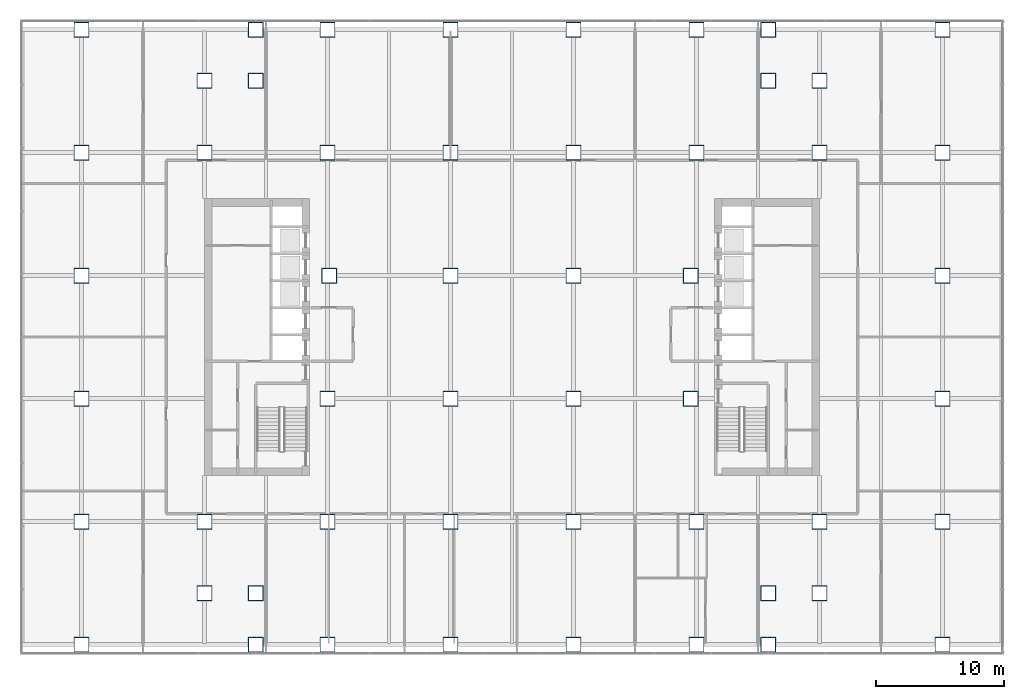
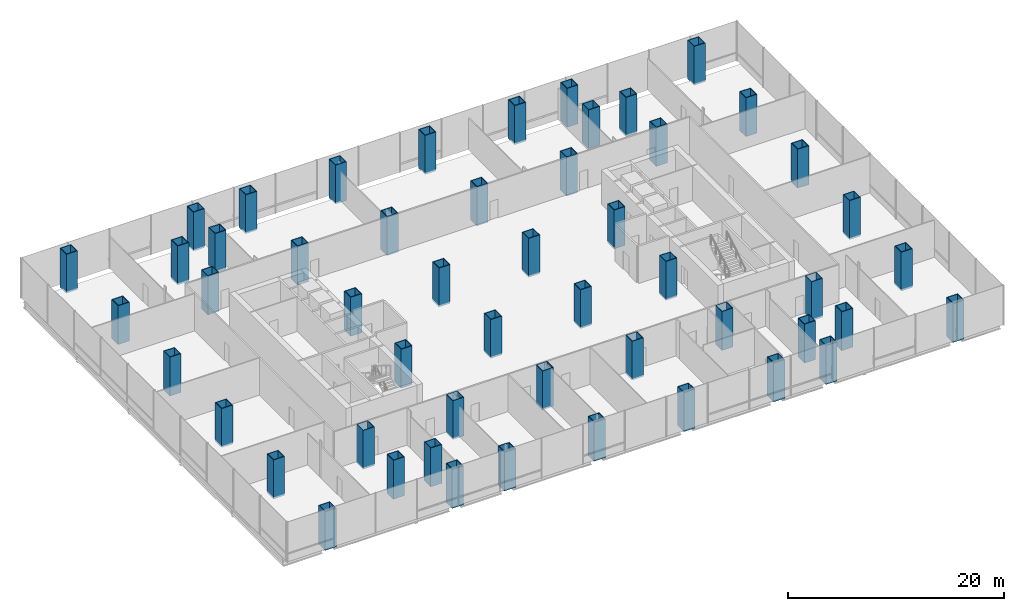
# One storey, part 1 of 23: 52 columns.
"""IFC4 building model written with IfcOpenShell, lengths in metres."""

from ifc_helpers import new_model, si_unit, direction, frame, origin, origin_2d, place, context, subcontext, project, spatial, hollow_rectangle, extrude, material, material_profile, profile_set, type_object, element, save


model = new_model("IFC4")

# Units and contexts
model_context = context("Model", 3, precision=1e-05, world=origin(), true_north=direction((0.0, 1.0)))
body_context = subcontext(model_context, "Body", "Model", "MODEL_VIEW")
ifc_project = project(units=[si_unit("LENGTHUNIT", "METRE"), si_unit("AREAUNIT", "SQUARE_METRE"), si_unit("VOLUMEUNIT", "CUBIC_METRE"), si_unit("PLANEANGLEUNIT", "RADIAN"), si_unit("MASSUNIT", "GRAM", prefix="KILO")], contexts=[model_context])

# Site, building, storey
site_placement = place(None, origin())
site = spatial("IfcSite", under=ifc_project, at=site_placement, CompositionType="ELEMENT")
building_placement = place(site_placement, origin())
building = spatial("IfcBuilding", under=site, at=building_placement, Name="Cobrizo Arcos Hotel Tower", CompositionType="ELEMENT")
storey_placement = place(building_placement, frame((0.0, 0.0, 29.0)))
storey = spatial("IfcBuildingStorey", under=building, at=storey_placement, Name="L05", CompositionType="ELEMENT", Elevation=29.0)

# Columns
ifc_material = material(Name="Steel ASTM A572 Grade 50", Category="steel")
ifc_material_profile_1 = material_profile(ifc_material, hollow_rectangle(XDim=1.199951171875, YDim=1.199951171875, WallThickness=0.070068359375, at=origin_2d()), Name="BOX 1200X1200X70")
ifc_profile_set_1 = profile_set([ifc_material_profile_1], Name="Steel ASTM A572 Grade 50")
column_type_1 = type_object("IfcColumnType", Name="BOX 1200X1200X70 column", PredefinedType="COLUMN", material=ifc_profile_set_1)
for number, where, z_axis, x_axis, name in (
    (1, (-33.60009765625, -24.0, -0.199951171875), (0.0, 0.0, 1.0), (1.0, 0.0, 0.0), "Perimeter column C1, L05, no. 00"),
    (2, (-33.60009765625, -14.39990234375, -0.199951171875), (0.0, 0.0, 1.0), (1.0, 0.0, 0.0), "Perimeter column C1, L05, no. 01"),
    (3, (-33.60009765625, -4.800048828125, -0.199951171875), (0.0, 0.0, 1.0), (1.0, 0.0, 0.0), "Perimeter column C1, L05, no. 02"),
    (4, (-33.60009765625, 4.800048828125, -0.199951171875), (0.0, 0.0, 1.0), (1.0, 0.0, 0.0), "Perimeter column C1, L05, no. 03"),
    (5, (-33.60009765625, 14.39990234375, -0.199951171875), (0.0, 0.0, 1.0), (1.0, 0.0, 0.0), "Perimeter column C1, L05, no. 04"),
    (6, (-33.60009765625, 24.0, -0.199951171875), (0.0, 0.0, 1.0), (1.0, 0.0, 0.0), "Perimeter column C1, L05, no. 05"),
    (7, (-20.0, -24.0, -0.199951171875), (0.0, 0.0, 1.0), (1.0, 0.0, 0.0), "Perimeter column C1, L05, no. 06"),
    (8, (-20.0, 24.0, -0.199951171875), (0.0, 0.0, 1.0), (1.0, 0.0, 0.0), "Perimeter column C1, L05, no. 07"),
    (9, (-14.39990234375, -24.0, -0.199951171875), (0.0, 0.0, 1.0), (1.0, 0.0, 0.0), "Perimeter column C1, L05, no. 08"),
    (10, (-14.39990234375, 24.0, -0.199951171875), (0.0, 0.0, 1.0), (1.0, 0.0, 0.0), "Perimeter column C1, L05, no. 09"),
    (11, (-4.800048828125, -24.0, -0.199951171875), (0.0, 0.0, 1.0), (1.0, 0.0, 0.0), "Perimeter column C1, L05, no. 10"),
    (12, (-4.800048828125, 24.0, -0.199951171875), (0.0, 0.0, 1.0), (1.0, 0.0, 0.0), "Perimeter column C1, L05, no. 11"),
    (13, (4.800048828125, -24.0, -0.199951171875), (0.0, 0.0, 1.0), (1.0, 0.0, 0.0), "Perimeter column C1, L05, no. 12"),
    (14, (4.800048828125, 24.0, -0.199951171875), (0.0, 0.0, 1.0), (1.0, 0.0, 0.0), "Perimeter column C1, L05, no. 13"),
    (15, (14.39990234375, -24.0, -0.199951171875), (0.0, 0.0, 1.0), (1.0, 0.0, 0.0), "Perimeter column C1, L05, no. 14"),
    (16, (14.39990234375, 24.0, -0.199951171875), (0.0, 0.0, 1.0), (1.0, 0.0, 0.0), "Perimeter column C1, L05, no. 15"),
    (17, (20.0, -24.0, -0.199951171875), (0.0, 0.0, 1.0), (1.0, 0.0, 0.0), "Perimeter column C1, L05, no. 16"),
    (18, (20.0, 24.0, -0.199951171875), (0.0, 0.0, 1.0), (1.0, 0.0, 0.0), "Perimeter column C1, L05, no. 17"),
    (19, (33.60009765625, -24.0, -0.199951171875), (0.0, 0.0, 1.0), (1.0, 0.0, 0.0), "Perimeter column C1, L05, no. 18"),
    (20, (33.60009765625, -14.39990234375, -0.199951171875), (0.0, 0.0, 1.0), (1.0, 0.0, 0.0), "Perimeter column C1, L05, no. 19"),
    (21, (33.60009765625, -4.800048828125, -0.199951171875), (0.0, 0.0, 1.0), (1.0, 0.0, 0.0), "Perimeter column C1, L05, no. 20"),
    (22, (33.60009765625, 4.800048828125, -0.199951171875), (0.0, 0.0, 1.0), (1.0, 0.0, 0.0), "Perimeter column C1, L05, no. 21"),
    (23, (33.60009765625, 14.39990234375, -0.199951171875), (0.0, 0.0, 1.0), (1.0, 0.0, 0.0), "Perimeter column C1, L05, no. 22"),
    (24, (33.60009765625, 24.0, -0.199951171875), (0.0, 0.0, 1.0), (1.0, 0.0, 0.0), "Perimeter column C1, L05, no. 23"),
):
    element("IfcColumn", number, at=place(storey_placement, frame(where, z_axis=z_axis, x_axis=x_axis)), inside=storey, type_object=column_type_1, Name=name, PredefinedType="COLUMN", context=body_context, shape_type="SweptSolid", body=[
        extrude(hollow_rectangle(XDim=1.199951171875, YDim=1.199951171875, WallThickness=0.070068359375, at=origin_2d()), origin(), (0.0, 0.0, 1.0), 4.39990234375),
    ])
ifc_material_profile_2 = material_profile(ifc_material, hollow_rectangle(XDim=1.199951171875, YDim=1.199951171875, WallThickness=0.070068359375, at=origin_2d()), Name="BOX 1200X1200X70")
ifc_profile_set_2 = profile_set([ifc_material_profile_2], Name="Steel ASTM A572 Grade 50")
column_type_2 = type_object("IfcColumnType", Name="BOX 1200X1200X70 interior column", PredefinedType="COLUMN", material=ifc_profile_set_2)
for number, where, z_axis, x_axis, name in (
    (25, (-24.0, -20.0, -0.199951171875), (0.0, 0.0, 1.0), (1.0, 0.0, 0.0), "Interior column C2, L05, no. 00"),
    (26, (-24.0, -14.39990234375, -0.199951171875), (0.0, 0.0, 1.0), (1.0, 0.0, 0.0), "Interior column C2, L05, no. 01"),
    (27, (-24.0, 14.39990234375, -0.199951171875), (0.0, 0.0, 1.0), (1.0, 0.0, 0.0), "Interior column C2, L05, no. 02"),
    (28, (-24.0, 20.0, -0.199951171875), (0.0, 0.0, 1.0), (1.0, 0.0, 0.0), "Interior column C2, L05, no. 03"),
    (29, (-20.0, -20.0, -0.199951171875), (0.0, 0.0, 1.0), (1.0, 0.0, 0.0), "Interior column C2, L05, no. 04"),
    (30, (-20.0, 20.0, -0.199951171875), (0.0, 0.0, 1.0), (1.0, 0.0, 0.0), "Interior column C2, L05, no. 05"),
    (31, (-14.39990234375, -14.39990234375, -0.199951171875), (0.0, 0.0, 1.0), (1.0, 0.0, 0.0), "Interior column C2, L05, no. 06"),
    (32, (-14.39990234375, -4.800048828125, -0.199951171875), (0.0, 0.0, 1.0), (1.0, 0.0, 0.0), "Interior column C2, L05, no. 07"),
    (33, (-14.25, 4.800048828125, -0.199951171875), (0.0, 0.0, 1.0), (1.0, 0.0, 0.0), "Interior column C2, L05, no. 08"),
    (34, (-14.39990234375, 14.39990234375, -0.199951171875), (0.0, 0.0, 1.0), (1.0, 0.0, 0.0), "Interior column C2, L05, no. 09"),
    (35, (-4.800048828125, -14.39990234375, -0.199951171875), (0.0, 0.0, 1.0), (1.0, 0.0, 0.0), "Interior column C2, L05, no. 10"),
    (36, (-4.800048828125, -4.800048828125, -0.199951171875), (0.0, 0.0, 1.0), (1.0, 0.0, 0.0), "Interior column C2, L05, no. 11"),
    (37, (-4.800048828125, 4.800048828125, -0.199951171875), (0.0, 0.0, 1.0), (1.0, 0.0, 0.0), "Interior column C2, L05, no. 12"),
    (38, (-4.800048828125, 14.39990234375, -0.199951171875), (0.0, 0.0, 1.0), (1.0, 0.0, 0.0), "Interior column C2, L05, no. 13"),
    (39, (4.800048828125, -14.39990234375, -0.199951171875), (0.0, 0.0, 1.0), (1.0, 0.0, 0.0), "Interior column C2, L05, no. 14"),
    (40, (4.800048828125, -4.800048828125, -0.199951171875), (0.0, 0.0, 1.0), (1.0, 0.0, 0.0), "Interior column C2, L05, no. 15"),
    (41, (4.800048828125, 4.800048828125, -0.199951171875), (0.0, 0.0, 1.0), (1.0, 0.0, 0.0), "Interior column C2, L05, no. 16"),
    (42, (4.800048828125, 14.39990234375, -0.199951171875), (0.0, 0.0, 1.0), (1.0, 0.0, 0.0), "Interior column C2, L05, no. 17"),
    (43, (14.39990234375, -14.39990234375, -0.199951171875), (0.0, 0.0, 1.0), (1.0, 0.0, 0.0), "Interior column C2, L05, no. 18"),
    (44, (13.93994140625, -4.800048828125, -0.199951171875), (0.0, 0.0, 1.0), (1.0, 0.0, 0.0), "Interior column C2, L05, no. 19"),
    (45, (13.93994140625, 4.800048828125, -0.199951171875), (0.0, 0.0, 1.0), (1.0, 0.0, 0.0), "Interior column C2, L05, no. 20"),
    (46, (14.39990234375, 14.39990234375, -0.199951171875), (0.0, 0.0, 1.0), (1.0, 0.0, 0.0), "Interior column C2, L05, no. 21"),
    (47, (20.0, -20.0, -0.199951171875), (0.0, 0.0, 1.0), (1.0, 0.0, 0.0), "Interior column C2, L05, no. 22"),
    (48, (20.0, 20.0, -0.199951171875), (0.0, 0.0, 1.0), (1.0, 0.0, 0.0), "Interior column C2, L05, no. 23"),
    (49, (24.0, -20.0, -0.199951171875), (0.0, 0.0, 1.0), (1.0, 0.0, 0.0), "Interior column C2, L05, no. 24"),
    (50, (24.0, -14.39990234375, -0.199951171875), (0.0, 0.0, 1.0), (1.0, 0.0, 0.0), "Interior column C2, L05, no. 25"),
    (51, (24.0, 14.39990234375, -0.199951171875), (0.0, 0.0, 1.0), (1.0, 0.0, 0.0), "Interior column C2, L05, no. 26"),
    (52, (24.0, 20.0, -0.199951171875), (0.0, 0.0, 1.0), (1.0, 0.0, 0.0), "Interior column C2, L05, no. 27"),
):
    element("IfcColumn", number, at=place(storey_placement, frame(where, z_axis=z_axis, x_axis=x_axis)), inside=storey, type_object=column_type_2, Name=name, PredefinedType="COLUMN", context=body_context, shape_type="SweptSolid", body=[
        extrude(hollow_rectangle(XDim=1.199951171875, YDim=1.199951171875, WallThickness=0.070068359375, at=origin_2d()), origin(), (0.0, 0.0, 1.0), 4.39990234375),
    ])

save(model, "model.ifc")
